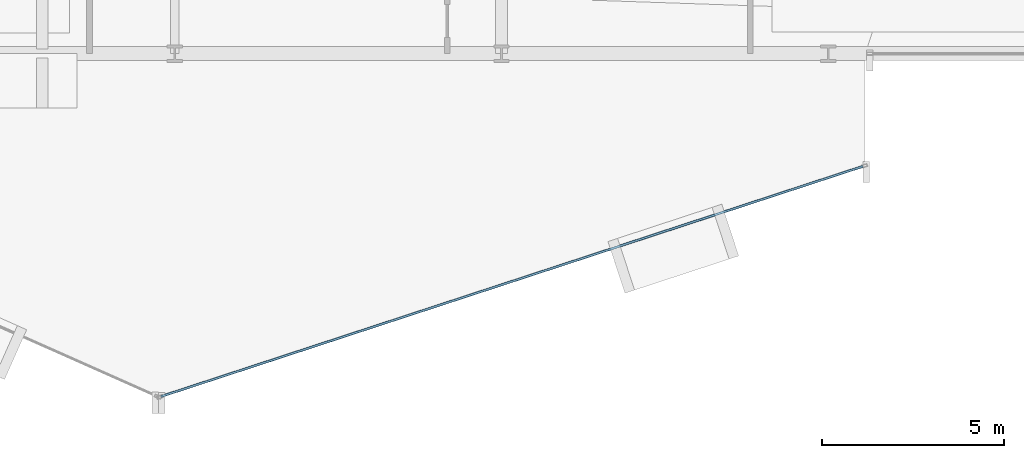
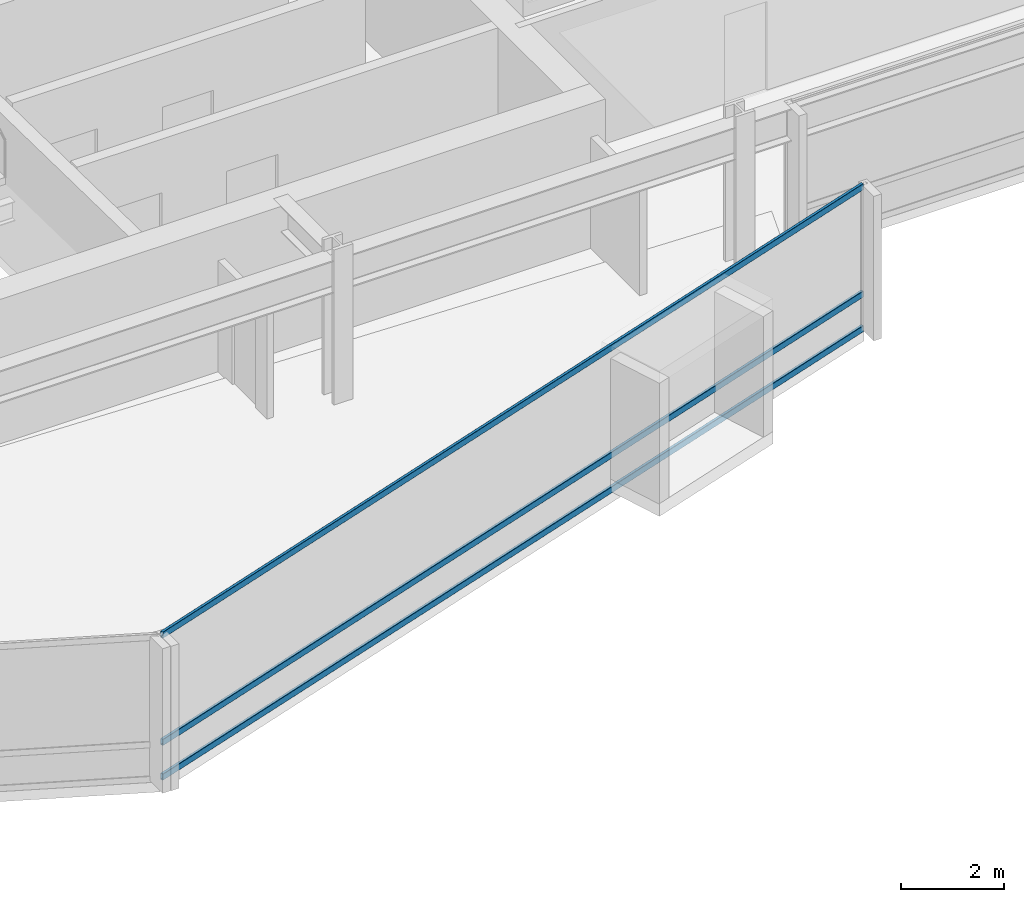
# One storey, part 9 of 34: 3 members, 1 element without a shape of its own.
"""IFC4 building model written with IfcOpenShell, lengths in metres."""

import ifcopenshell
import ifcopenshell.guid

model = None  # the IFC model being written
_history = None  # IfcOwnerHistory: only IFC2X3 demands one
_inside = {}  # id of a spatial element -> (the spatial element, [elements in it])
_under = {}  # id of a project, library or spatial element -> (it, [spatial elements below it])
_declared = {}  # id of a project -> (the project, [libraries it declares])
_typed = {}  # id of a type object -> (the type object, [elements of that type])
_made_of = {}  # id of a material, layer set ... -> (it, [elements and type objects made of it])


def new_model(schema):
    """Start an empty IFC model of exactly this schema.

    Asked for "IFC4X3", IfcOpenShell would pick the latest addendum, in which some entities
    have other attributes; the version numbers below select the first issue.
    IFC2X3 requires an IfcOwnerHistory on every rooted entity: one is made here for all.
    """
    global model, _history
    if schema == "IFC4X3":
        model = ifcopenshell.file(schema_version=(4, 3, 0, 0))
    else:
        model = ifcopenshell.file(schema=schema)
    _inside.clear()
    _under.clear()
    _declared.clear()
    _typed.clear()
    _made_of.clear()
    _history = None
    if model.schema == "IFC2X3":
        org = make("IfcOrganization", Name="unknown")
        user = make(
            "IfcPersonAndOrganization",
            ThePerson=make("IfcPerson", FamilyName="unknown"),
            TheOrganization=org,
        )
        app = make(
            "IfcApplication",
            ApplicationDeveloper=org,
            Version="unknown",
            ApplicationFullName="unknown",
            ApplicationIdentifier="unknown",
        )
        _history = make(
            "IfcOwnerHistory",
            OwningUser=user,
            OwningApplication=app,
            ChangeAction="ADDED",
            CreationDate=0,
        )
    return model


def make(cls, **values):
    """One entity of the class cls with the attributes given. An attribute that is None is left unset."""
    return model.create_entity(
        cls, **{name: value for name, value in values.items() if value is not None}
    )


def rooted(cls, **values):
    """An entity with a GlobalId (a new one), such as an element, a storey or a relation."""
    return make(cls, GlobalId=ifcopenshell.guid.new(), OwnerHistory=_history, **values)


def si_unit(unit_type, name, prefix=None):
    """IfcSIUnit, for example si_unit("LENGTHUNIT", "METRE", prefix="MILLI")."""
    return make("IfcSIUnit", UnitType=unit_type, Prefix=prefix, Name=name)


def assignment(units):
    """IfcUnitAssignment: the units of a project."""
    return None if units is None else make("IfcUnitAssignment", Units=units)


def point(xyz):
    """IfcCartesianPoint."""
    return None if xyz is None else make("IfcCartesianPoint", Coordinates=xyz)


def direction(xyz):
    """IfcDirection."""
    return None if xyz is None else make("IfcDirection", DirectionRatios=xyz)


def frame(location, z_axis=None, x_axis=None):
    """IfcAxis2Placement3D, a coordinate frame: its origin and axes. An axis left out is left unset."""
    return make(
        "IfcAxis2Placement3D",
        Location=point(location),
        Axis=direction(z_axis),
        RefDirection=direction(x_axis),
    )


def frame_2d(location, x_axis=None):
    """IfcAxis2Placement2D, a coordinate frame in the plane: its origin and x axis."""
    return make(
        "IfcAxis2Placement2D", Location=point(location), RefDirection=direction(x_axis)
    )


def origin():
    """The frame at (0, 0, 0) with its axes left unset."""
    return frame((0.0, 0.0, 0.0))


def origin_2d():
    """The frame at (0, 0) in the plane with its x axis left unset."""
    return frame_2d((0.0, 0.0))


def place(relative_to, where):
    """IfcLocalPlacement: puts the frame where relative to a parent placement (None: the world)."""
    return make(
        "IfcLocalPlacement", PlacementRelTo=relative_to, RelativePlacement=where
    )


def context(
    kind, dimensions, precision=None, world=None, true_north=None, identifier=None
):
    """IfcGeometricRepresentationContext, for example the 3D "Model" context."""
    return make(
        "IfcGeometricRepresentationContext",
        ContextIdentifier=identifier,
        ContextType=kind,
        CoordinateSpaceDimension=dimensions,
        Precision=precision,
        WorldCoordinateSystem=world,
        TrueNorth=true_north,
    )


def subcontext(parent, identifier, kind, view, scale=None):
    """IfcGeometricRepresentationSubContext, for example "Body" below "Model"."""
    return make(
        "IfcGeometricRepresentationSubContext",
        ContextIdentifier=identifier,
        ContextType=kind,
        ParentContext=parent,
        TargetScale=scale,
        TargetView=view,
    )


def project(units=None, contexts=None):
    """IfcProject with its units and contexts."""
    return rooted(
        "IfcProject",
        Name="project",
        RepresentationContexts=contexts,
        UnitsInContext=assignment(units),
    )


def spatial(cls, under=None, at=None, **own):
    """A site, building, storey or space (cls), placed at a placement, below another one or the project."""
    s = rooted(cls, ObjectPlacement=at, **own)
    if under is not None:
        _under.setdefault(under.id(), (under, []))[1].append(s)
    return s


def profile(cls, at=None, kind="AREA", **sizes):
    """A parametric profile (cls). Its sizes go by their IFC names, for example OverallWidth=200.0."""
    return make(cls, ProfileType=kind, Position=at, **sizes)


def hollow_rectangle(**sizes):
    """IfcRectangleHollowProfileDef."""
    return profile("IfcRectangleHollowProfileDef", **sizes)


def extrude(swept, where, along, depth):
    """IfcExtrudedAreaSolid: the profile swept, set in the frame where, extruded along a direction by depth."""
    return make(
        "IfcExtrudedAreaSolid",
        SweptArea=swept,
        Position=where,
        ExtrudedDirection=direction(along),
        Depth=depth,
    )


def shape(context_of_items, identifier, shape_type, items):
    """IfcShapeRepresentation: the items that make up one representation, for example the "Body"."""
    return make(
        "IfcShapeRepresentation",
        ContextOfItems=context_of_items,
        RepresentationIdentifier=identifier,
        RepresentationType=shape_type,
        Items=items,
    )


def material(Name=None, Category=None):
    """IfcMaterial."""
    return make("IfcMaterial", Name=Name, Category=Category)


def layer(
    of_material, thickness, ventilated=None, Name=None, Category=None, Priority=None
):
    """IfcMaterialLayer: one layer of a wall or slab, of a material (None: an air gap)."""
    return make(
        "IfcMaterialLayer",
        Material=of_material,
        LayerThickness=thickness,
        IsVentilated=ventilated,
        Name=Name,
        Category=Category,
        Priority=Priority,
    )


def layer_set(layers, Name=None):
    """IfcMaterialLayerSet."""
    return make("IfcMaterialLayerSet", MaterialLayers=layers, LayerSetName=Name)


def material_profile(
    of_material, cross_section, Name=None, Category=None, Priority=None
):
    """IfcMaterialProfile: a cross section and its material."""
    return make(
        "IfcMaterialProfile",
        Name=Name,
        Material=of_material,
        Profile=cross_section,
        Priority=Priority,
        Category=Category,
    )


def profile_set(profiles, Name=None, composite=None):
    """IfcMaterialProfileSet."""
    return make(
        "IfcMaterialProfileSet",
        Name=Name,
        MaterialProfiles=profiles,
        CompositeProfile=composite,
    )


def made_of(thing, what):
    """Note that an element or type object is made of a material, layer set ...; save() writes the relation."""
    if what is not None:
        _made_of.setdefault(what.id(), (what, []))[1].append(thing)
    return thing


def type_object(cls, material=None, **own):
    """A type object (cls), such as IfcWallType, which elements share."""
    return made_of(rooted(cls, **own), material)


def element(
    cls,
    number,
    at=None,
    inside=None,
    cuts=None,
    type_object=None,
    material=None,
    context=None,
    identifier="Body",
    shape_type=None,
    held_by="IfcProductDefinitionShape",
    body=None,
    shapes=None,
    **own,
):
    """One element of the class cls, such as IfcWall. Its Tag is "e" and its number.

    at: its placement. inside: the storey or other place that contains it. cuts: it is an
    opening in that element (IfcRelVoidsElement). A single representation is given by context,
    identifier, shape_type and body (its items); several are given by shapes. held_by: the class
    of the entity that holds the representations. save() writes the other relations.
    """
    e = rooted(cls, Tag="e%d" % number, ObjectPlacement=at, **own)
    if body is not None:
        shapes = [shape(context, identifier, shape_type, body)]
    if shapes is not None:
        e.Representation = make(held_by, Representations=shapes)
    if inside is not None:
        _inside.setdefault(inside.id(), (inside, []))[1].append(e)
    if cuts is not None:
        rooted(
            "IfcRelVoidsElement", RelatingBuildingElement=cuts, RelatedOpeningElement=e
        )
    if type_object is not None:
        _typed.setdefault(type_object.id(), (type_object, []))[1].append(e)
    return made_of(e, material)


def aggregate(whole, parts):
    """IfcRelAggregates: a whole, such as a stair, and the parts it consists of."""
    return rooted("IfcRelAggregates", RelatingObject=whole, RelatedObjects=parts)


def save(model, path):
    """Write the relations noted so far, then the file.

    IfcRelAggregates (storeys below a building ...), IfcRelContainedInSpatialStructure (elements
    in a storey), IfcRelDefinesByType, IfcRelAssociatesMaterial and IfcRelDeclares: one each for
    every whole, place, type object, material and project.
    """
    for whole, parts in _under.values():
        aggregate(whole, parts)
    for where, things in _inside.values():
        rooted(
            "IfcRelContainedInSpatialStructure",
            RelatedElements=things,
            RelatingStructure=where,
        )
    for kind, things in _typed.values():
        rooted("IfcRelDefinesByType", RelatedObjects=things, RelatingType=kind)
    for what, things in _made_of.values():
        rooted("IfcRelAssociatesMaterial", RelatedObjects=things, RelatingMaterial=what)
    for by, libraries in _declared.values():
        rooted("IfcRelDeclares", RelatingContext=by, RelatedDefinitions=libraries)
    model.write(path)


model = new_model("IFC4")

# Units and contexts
model_context = context("Model", 3, precision=1e-05, world=origin(), true_north=direction((0.0, 1.0)))
body_context = subcontext(model_context, "Body", "Model", "MODEL_VIEW")
ifc_project = project(units=[si_unit("LENGTHUNIT", "METRE"), si_unit("AREAUNIT", "SQUARE_METRE"), si_unit("VOLUMEUNIT", "CUBIC_METRE"), si_unit("PLANEANGLEUNIT", "RADIAN"), si_unit("MASSUNIT", "GRAM", prefix="KILO")], contexts=[model_context])

# Site, building, storey
site_placement = place(None, origin())
site = spatial("IfcSite", under=ifc_project, at=site_placement, CompositionType="ELEMENT")
building_placement = place(site_placement, origin())
building = spatial("IfcBuilding", under=site, at=building_placement, Name="Solvaryn Broadcast Tower", CompositionType="ELEMENT")
storey_placement = place(building_placement, frame((0.0, 0.0, 89.10009765625)))
storey = spatial("IfcBuildingStorey", under=building, at=storey_placement, Name="L21", CompositionType="ELEMENT", Elevation=89.10009765625)

# Curtain wall, members
ifc_material_1 = material(Name="Aluminium and Terracotta Unitised Curtain Wall", Category="masonry")
ifc_layer = layer(ifc_material_1, 0.199951171875)
ifc_layer_set = layer_set([ifc_layer], Name="CW-SYS2-LOWMID")
curtain_wall_type = type_object("IfcCurtainWallType", Name="CW-SYS2-LOWMID", PredefinedType="NOTDEFINED", material=ifc_layer_set)
curtain_wall_placement = place(storey_placement, origin())
curtain_wall = element("IfcCurtainWall", 1, at=curtain_wall_placement, inside=storey, type_object=curtain_wall_type, Name="L21 Curtain Wall DR4", PredefinedType="NOTDEFINED")
ifc_material_2 = material(Name="Anodised Aluminium 6063-T6", Category="aluminium")
ifc_material_profile = material_profile(ifc_material_2, hollow_rectangle(XDim=0.06494140625, YDim=0.14990234375, WallThickness=0.00390625, InnerFilletRadius=0.00390625, OuterFilletRadius=0.008056640625, at=origin_2d()))
ifc_profile_set = profile_set([ifc_material_profile], Name="Anodised Aluminium 6063-T6")
member_type = type_object("IfcMemberType", Name="CW-TRN-150", PredefinedType="USERDEFINED", material=ifc_profile_set)
member_1_placement = place(storey_placement, frame((26.616943359375, -0.4453125, 0.02978515625), z_axis=(0.950216792475, 0.311589549406, 0.0), x_axis=(-0.311589549406, 0.950216792475, 0.0)))
member_1 = element("IfcMember", 2, at=member_1_placement, type_object=member_type, Name="CWS2 transom 1.1", ObjectType="TRANSOM", PredefinedType="USERDEFINED", context=body_context, shape_type="SweptSolid", body=[
    extrude(hollow_rectangle(XDim=0.06494140625, YDim=0.14990234375, WallThickness=0.00390625, InnerFilletRadius=0.00390625, OuterFilletRadius=0.008056640625, at=origin_2d()), origin(), (0.0, 0.0, 1.0), 20.35546875),
])
member_2_placement = place(storey_placement, frame((26.616943359375, -0.4453125, 0.849853515625), z_axis=(0.950216792475, 0.311589549406, 0.0), x_axis=(-0.311589549406, 0.950216792475, 0.0)))
member_2 = element("IfcMember", 3, at=member_2_placement, type_object=member_type, Name="CWS2 transom 1.2", ObjectType="TRANSOM", PredefinedType="USERDEFINED", context=body_context, shape_type="SweptSolid", body=[
    extrude(hollow_rectangle(XDim=0.06494140625, YDim=0.14990234375, WallThickness=0.00390625, InnerFilletRadius=0.00390625, OuterFilletRadius=0.008056640625, at=origin_2d()), origin(), (0.0, 0.0, 1.0), 20.35546875),
])
member_3_placement = place(storey_placement, frame((26.616943359375, -0.4453125, 3.389892578125), z_axis=(0.950216792475, 0.311589549406, 0.0), x_axis=(-0.311589549406, 0.950216792475, 0.0)))
member_3 = element("IfcMember", 4, at=member_3_placement, type_object=member_type, Name="CWS2 transom 1.3", ObjectType="TRANSOM", PredefinedType="USERDEFINED", context=body_context, shape_type="SweptSolid", body=[
    extrude(hollow_rectangle(XDim=0.06494140625, YDim=0.14990234375, WallThickness=0.00390625, InnerFilletRadius=0.00390625, OuterFilletRadius=0.008056640625, at=origin_2d()), origin(), (0.0, 0.0, 1.0), 20.35546875),
])
aggregate(curtain_wall, [member_1, member_2, member_3])

save(model, "model.ifc")
